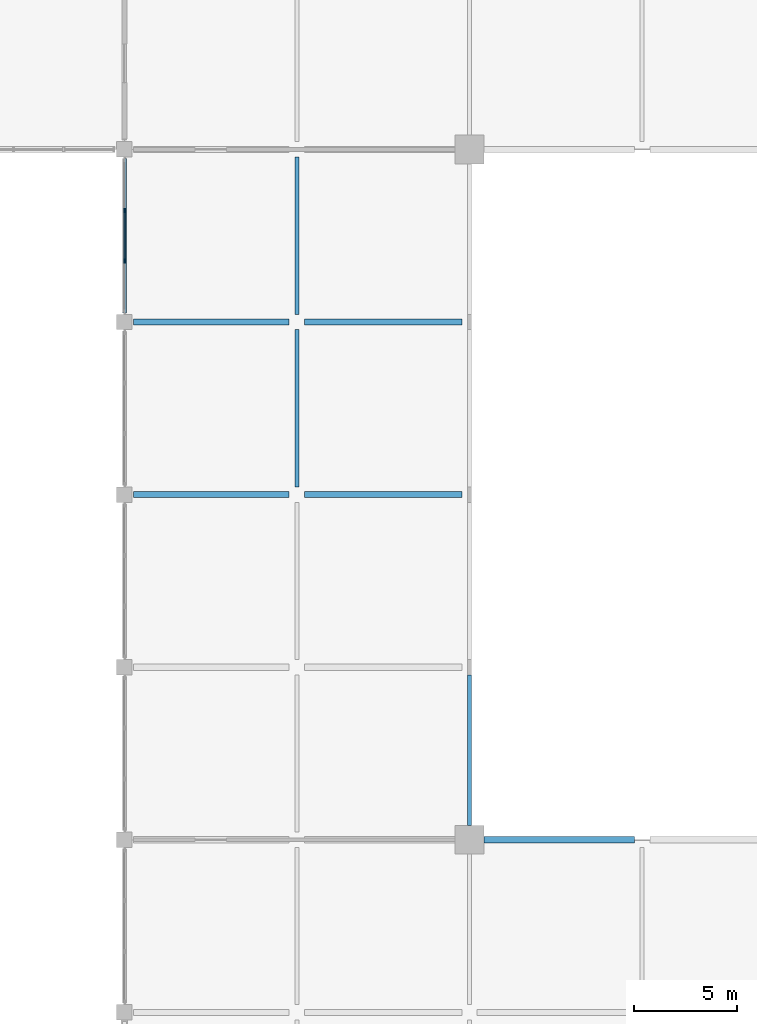
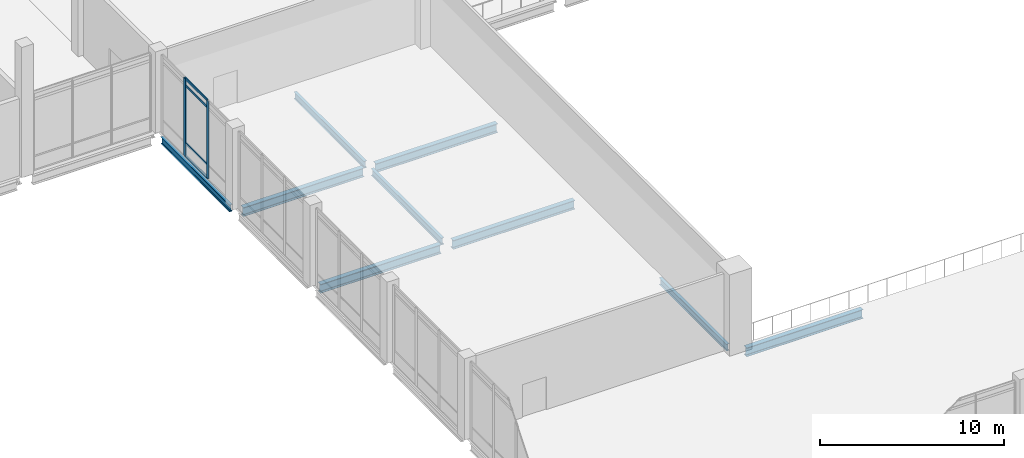
# One storey, part 28 of 72: 9 beams, 6 members, 1 element without a shape of its own.
"""IFC4 building model written with IfcOpenShell, lengths in metres."""

from ifc_helpers import new_model, si_unit, direction, frame, origin, origin_2d, place, context, subcontext, project, spatial, rectangle, i_section, extrude, material, layer, layer_set, material_profile, profile_set, type_object, element, aggregate, save


model = new_model("IFC4")

# Units and contexts
model_context = context("Model", 3, precision=1e-05, world=origin(), true_north=direction((0.0, 1.0)))
body_context = subcontext(model_context, "Body", "Model", "MODEL_VIEW")
ifc_project = project(units=[si_unit("LENGTHUNIT", "METRE"), si_unit("AREAUNIT", "SQUARE_METRE"), si_unit("VOLUMEUNIT", "CUBIC_METRE"), si_unit("PLANEANGLEUNIT", "RADIAN"), si_unit("MASSUNIT", "GRAM", prefix="KILO")], contexts=[model_context])

# Site, building, storey
site_placement = place(None, origin())
site = spatial("IfcSite", under=ifc_project, at=site_placement, CompositionType="ELEMENT")
building_placement = place(site_placement, origin())
building = spatial("IfcBuilding", under=site, at=building_placement, Name="Qawsi Khor Wholesale Market", CompositionType="ELEMENT")
storey_placement = place(building_placement, frame((0.0, 0.0, 6.0)))
storey = spatial("IfcBuildingStorey", under=building, at=storey_placement, Name="L01", CompositionType="ELEMENT", Elevation=6.0)

# Curtain wall, members
ifc_material_1 = material(Name="Aluminium Anodised Bronze", Category="aluminium")
ifc_layer = layer(ifc_material_1, 0.199951171875, Name="Aluminium Anodised Bronze")
ifc_layer_set = layer_set([ifc_layer], Name="Aluminium Anodised Bronze")
curtain_wall_type = type_object("IfcCurtainWallType", Name="Trading Hall North-Light Curtain Wall CW-03", PredefinedType="NOTDEFINED", material=ifc_layer_set)
curtain_wall_placement = place(storey_placement, origin())
curtain_wall = element("IfcCurtainWall", 1, at=curtain_wall_placement, inside=storey, type_object=curtain_wall_type, Name="Curtain wall CW-CW-03-L01-096", PredefinedType="NOTDEFINED")
ifc_material_profile_1 = material_profile(ifc_material_1, rectangle(XDim=0.074951171875, YDim=0.219970703125, at=origin_2d()), Name="ALU MULLION 75x220")
ifc_profile_set_1 = profile_set([ifc_material_profile_1], Name="Aluminium Anodised Bronze")
member_type_1 = type_object("IfcMemberType", Name="Curtain Wall Mullion CW-03 ALU MULLION 75x220", PredefinedType="MULLION", material=ifc_profile_set_1)
member_1_placement = place(storey_placement, frame((142.800048828125, 86.9658203125, -0.02001953125), z_axis=(0.0, 0.0, 1.0), x_axis=(1.0, 0.0, 0.0)))
member_1 = element("IfcMember", 2, at=member_1_placement, type_object=member_type_1, Name="Mullion CW-CW-03-L01-096-M01", PredefinedType="MULLION", context=body_context, shape_type="SweptSolid", body=[
    extrude(rectangle(XDim=0.074951171875, YDim=0.219970703125, at=origin_2d()), origin(), (0.0, 0.0, 1.0), 5.14990234375),
])
member_2_placement = place(storey_placement, frame((142.800048828125, 89.43408203125, -0.02001953125), z_axis=(0.0, 0.0, 1.0), x_axis=(1.0, 0.0, 0.0)))
member_2 = element("IfcMember", 3, at=member_2_placement, type_object=member_type_1, Name="Mullion CW-CW-03-L01-096-M02", PredefinedType="MULLION", context=body_context, shape_type="SweptSolid", body=[
    extrude(rectangle(XDim=0.074951171875, YDim=0.219970703125, at=origin_2d()), origin(), (0.0, 0.0, 1.0), 5.14990234375),
])
ifc_material_profile_2 = material_profile(ifc_material_1, rectangle(XDim=0.070068359375, YDim=0.14990234375, at=origin_2d()), Name="ALU TRANSOM 70x150")
ifc_profile_set_2 = profile_set([ifc_material_profile_2], Name="Aluminium Anodised Bronze")
member_type_2 = type_object("IfcMemberType", Name="Curtain Wall Transom CW-03 ALU TRANSOM 70x150", PredefinedType="USERDEFINED", material=ifc_profile_set_2)
member_3_placement = place(storey_placement, frame((142.800048828125, 86.9658203125, 0.0), z_axis=(0.0, 1.0, 0.0), x_axis=(-1.0, 0.0, 0.0)))
member_3 = element("IfcMember", 4, at=member_3_placement, type_object=member_type_2, Name="Transom CW-CW-03-L01-096-T0_01", ObjectType="TRANSOM", PredefinedType="USERDEFINED", context=body_context, shape_type="SweptSolid", body=[
    extrude(rectangle(XDim=0.070068359375, YDim=0.14990234375, at=origin_2d()), origin(), (0.0, 0.0, 1.0), 2.46826171875),
])
member_4_placement = place(storey_placement, frame((142.800048828125, 86.9658203125, 0.85009765625), z_axis=(0.0, 1.0, 0.0), x_axis=(-1.0, 0.0, 0.0)))
member_4 = element("IfcMember", 5, at=member_4_placement, type_object=member_type_2, Name="Transom CW-CW-03-L01-096-T1_01", ObjectType="TRANSOM", PredefinedType="USERDEFINED", context=body_context, shape_type="SweptSolid", body=[
    extrude(rectangle(XDim=0.070068359375, YDim=0.14990234375, at=origin_2d()), origin(), (0.0, 0.0, 1.0), 2.46826171875),
])
member_5_placement = place(storey_placement, frame((142.800048828125, 86.9658203125, 4.679931640625), z_axis=(0.0, 1.0, 0.0), x_axis=(-1.0, 0.0, 0.0)))
member_5 = element("IfcMember", 6, at=member_5_placement, type_object=member_type_2, Name="Transom CW-CW-03-L01-096-T2_01", ObjectType="TRANSOM", PredefinedType="USERDEFINED", context=body_context, shape_type="SweptSolid", body=[
    extrude(rectangle(XDim=0.070068359375, YDim=0.14990234375, at=origin_2d()), origin(), (0.0, 0.0, 1.0), 2.46826171875),
])
member_6_placement = place(storey_placement, frame((142.800048828125, 86.9658203125, 5.1298828125), z_axis=(0.0, 1.0, 0.0), x_axis=(-1.0, 0.0, 0.0)))
member_6 = element("IfcMember", 7, at=member_6_placement, type_object=member_type_2, Name="Transom CW-CW-03-L01-096-T3_01", ObjectType="TRANSOM", PredefinedType="USERDEFINED", context=body_context, shape_type="SweptSolid", body=[
    extrude(rectangle(XDim=0.070068359375, YDim=0.14990234375, at=origin_2d()), origin(), (0.0, 0.0, 1.0), 2.46826171875),
])
aggregate(curtain_wall, [member_1, member_2, member_3, member_4, member_5, member_6])

# Beams
ifc_material_2 = material(Name="Steel S355", Category="steel")
ifc_material_profile_3 = material_profile(ifc_material_2, i_section(OverallWidth=0.300048828125, OverallDepth=0.590087890625, WebThickness=0.012939453125, FlangeThickness=0.02490234375, FilletRadius=0.027099609375, at=origin_2d()), Name="HEA 600")
ifc_profile_set_3 = profile_set([ifc_material_profile_3], Name="Steel S355")
beam_type_1 = type_object("IfcBeamType", Name="Primary Girder HEA 600", PredefinedType="BEAM", material=ifc_profile_set_3)
for number, where, z_axis, x_axis, name in (
    (8, (143.25, 75.60009765625, -0.56494140625), (1.0, 0.0, 0.0), (0.0, 1.0, 0.0), "BM-X-L01-17_+09"),
    (9, (143.25, 84.0, -0.56494140625), (1.0, 0.0, 0.0), (0.0, 1.0, 0.0), "BM-X-L01-17_+10"),
):
    element("IfcBeam", number, at=place(storey_placement, frame(where, z_axis=z_axis, x_axis=x_axis)), inside=storey, type_object=beam_type_1, Name=name, PredefinedType="BEAM", context=body_context, shape_type="SweptSolid", body=[
        extrude(i_section(OverallWidth=0.300048828125, OverallDepth=0.590087890625, WebThickness=0.012939453125, FlangeThickness=0.02490234375, FilletRadius=0.027099609375, at=origin_2d()), origin(), (0.0, 0.0, 1.0), 7.574951171875),
    ])
for number, where, z_axis, x_axis, name in (
    (10, (151.574951171875, 75.60009765625, -0.56494140625), (1.0, 0.0, 0.0), (0.0, 1.0, 0.0), "BM-X-L01-18_+09"),
    (11, (151.574951171875, 84.0, -0.56494140625), (1.0, 0.0, 0.0), (0.0, 1.0, 0.0), "BM-X-L01-18_+10"),
):
    element("IfcBeam", number, at=place(storey_placement, frame(where, z_axis=z_axis, x_axis=x_axis)), inside=storey, type_object=beam_type_1, Name=name, PredefinedType="BEAM", context=body_context, shape_type="SweptSolid", body=[
        extrude(i_section(OverallWidth=0.300048828125, OverallDepth=0.590087890625, WebThickness=0.012939453125, FlangeThickness=0.02490234375, FilletRadius=0.027099609375, at=origin_2d()), origin(), (0.0, 0.0, 1.0), 7.650146484375),
    ])
beam_1_placement = place(storey_placement, frame((160.300048828125, 58.800048828125, -0.56494140625), z_axis=(1.0, 0.0, 0.0), x_axis=(0.0, 1.0, 0.0)))
element("IfcBeam", 12, at=beam_1_placement, inside=storey, type_object=beam_type_1, Name="BM-X-L01-19_+07", PredefinedType="BEAM", context=body_context, shape_type="SweptSolid", body=[
    extrude(i_section(OverallWidth=0.300048828125, OverallDepth=0.590087890625, WebThickness=0.012939453125, FlangeThickness=0.02490234375, FilletRadius=0.027099609375, at=origin_2d()), origin(), (0.0, 0.0, 1.0), 7.324951171875),
])
ifc_material_profile_4 = material_profile(ifc_material_2, i_section(OverallWidth=0.18994140625, OverallDepth=0.449951171875, WebThickness=0.009521484375, FlangeThickness=0.0146484375, FilletRadius=0.02099609375, at=origin_2d()), Name="IPE 450")
ifc_profile_set_4 = profile_set([ifc_material_profile_4], Name="Steel S355")
beam_type_2 = type_object("IfcBeamType", Name="Secondary Beam IPE 450", PredefinedType="BEAM", material=ifc_profile_set_4)
beam_2_placement = place(storey_placement, frame((142.800048828125, 84.449951171875, -0.4951171875), z_axis=(0.0, 1.0, 0.0), x_axis=(-1.0, 0.0, 0.0)))
element("IfcBeam", 13, at=beam_2_placement, inside=storey, type_object=beam_type_2, Name="BM-Y-L01-17_+10", PredefinedType="BEAM", context=body_context, shape_type="SweptSolid", body=[
    extrude(i_section(OverallWidth=0.18994140625, OverallDepth=0.449951171875, WebThickness=0.009521484375, FlangeThickness=0.0146484375, FilletRadius=0.02099609375, at=origin_2d()), origin(), (0.0, 0.0, 1.0), 7.5),
])
for number, where, z_axis, x_axis, name in (
    (14, (151.199951171875, 75.97509765625, -0.4951171875), (0.0, 1.0, 0.0), (-1.0, 0.0, 0.0), "BM-Y-L01-18_+09"),
    (15, (151.199951171875, 84.375, -0.4951171875), (0.0, 1.0, 0.0), (-1.0, 0.0, 0.0), "BM-Y-L01-18_+10"),
):
    element("IfcBeam", number, at=place(storey_placement, frame(where, z_axis=z_axis, x_axis=x_axis)), inside=storey, type_object=beam_type_2, Name=name, PredefinedType="BEAM", context=body_context, shape_type="SweptSolid", body=[
        extrude(i_section(OverallWidth=0.18994140625, OverallDepth=0.449951171875, WebThickness=0.009521484375, FlangeThickness=0.0146484375, FilletRadius=0.02099609375, at=origin_2d()), origin(), (0.0, 0.0, 1.0), 7.64990234375),
    ])
beam_3_placement = place(storey_placement, frame((159.60009765625, 59.5, -0.4951171875), z_axis=(0.0, 1.0, 0.0), x_axis=(-1.0, 0.0, 0.0)))
element("IfcBeam", 16, at=beam_3_placement, inside=storey, type_object=beam_type_2, Name="BM-Y-L01-19_+07", PredefinedType="BEAM", context=body_context, shape_type="SweptSolid", body=[
    extrude(i_section(OverallWidth=0.18994140625, OverallDepth=0.449951171875, WebThickness=0.009521484375, FlangeThickness=0.0146484375, FilletRadius=0.02099609375, at=origin_2d()), origin(), (0.0, 0.0, 1.0), 7.324951171875),
])

save(model, "model.ifc")
